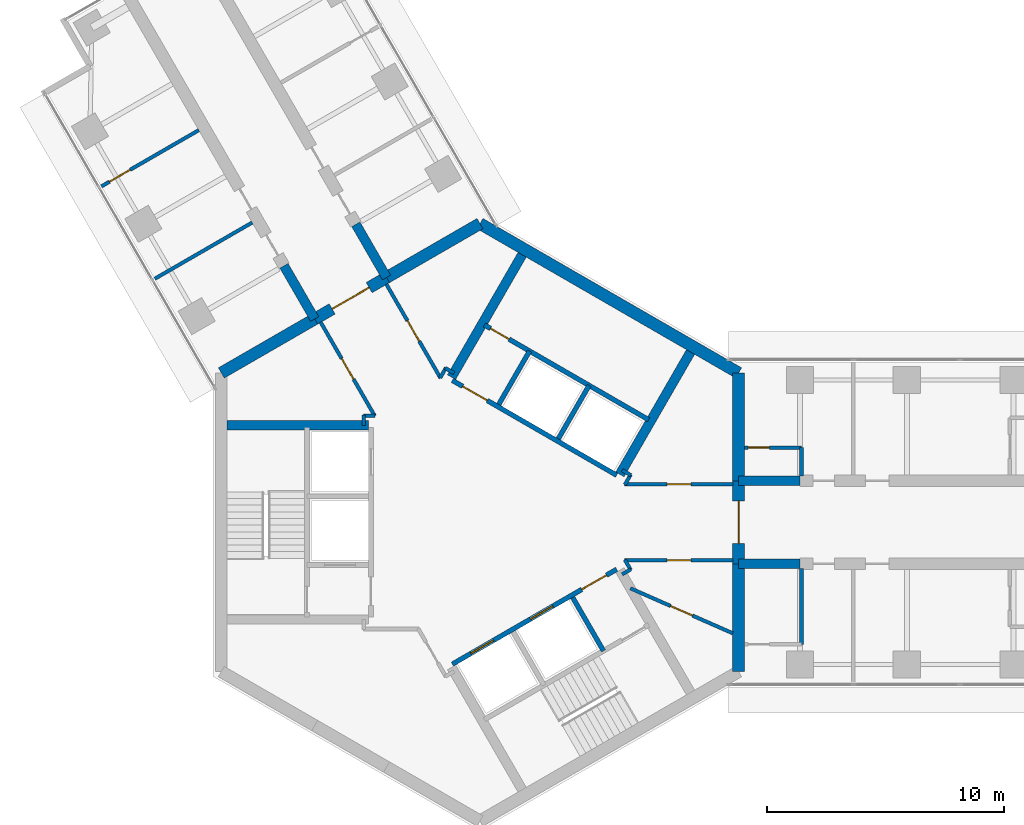
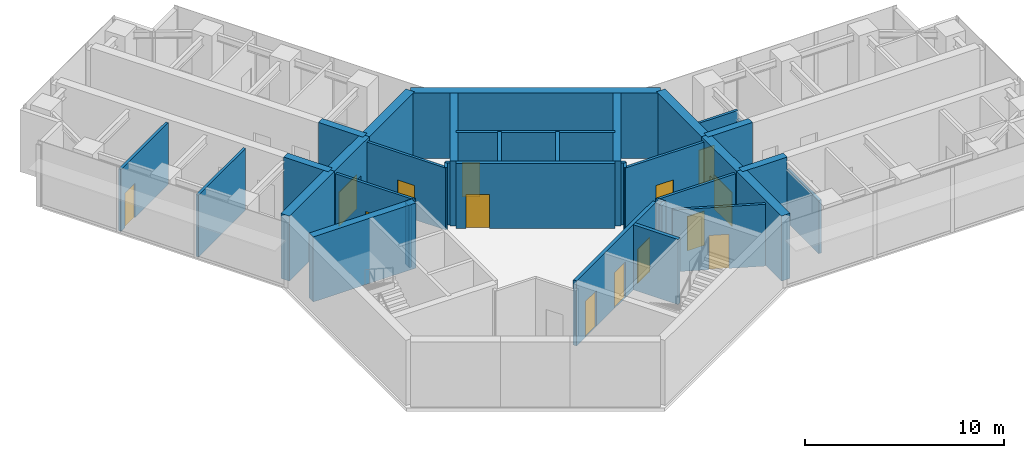
# One storey, part 12 of 17: 38 walls, 14 doors, 14 openings.
"""IFC4 building model written with IfcOpenShell, lengths in metres."""

from ifc_helpers import new_model, si_unit, direction, frame, frame_2d, origin, place, context, subcontext, project, spatial, rectangle, extrude, material, layer, layer_set, type_object, element, fill, save


model = new_model("IFC4")

# Units and contexts
model_context = context("Model", 3, precision=1e-05, world=origin(), true_north=direction((0.0, 1.0)))
body_context = subcontext(model_context, "Body", "Model", "MODEL_VIEW")
ifc_project = project(units=[si_unit("LENGTHUNIT", "METRE"), si_unit("AREAUNIT", "SQUARE_METRE"), si_unit("VOLUMEUNIT", "CUBIC_METRE"), si_unit("PLANEANGLEUNIT", "RADIAN"), si_unit("MASSUNIT", "GRAM", prefix="KILO")], contexts=[model_context])

# Site, building, storey
site_placement = place(None, origin())
site = spatial("IfcSite", under=ifc_project, at=site_placement, CompositionType="ELEMENT")
building_placement = place(site_placement, origin())
building = spatial("IfcBuilding", under=site, at=building_placement, Name="Upepo Twin Towers", CompositionType="ELEMENT")
storey_placement = place(building_placement, frame((0.0, 0.0, 202.5)))
storey = spatial("IfcBuildingStorey", under=building, at=storey_placement, Name="L49", CompositionType="ELEMENT", Elevation=202.5)

# Walls
ifc_material_1 = material(Name="Concrete C60/75", Category="concrete")
ifc_layer_1 = layer(ifc_material_1, 0.39990234375)
ifc_layer_set_1 = layer_set([ifc_layer_1], Name="Concrete C60/75")
wall_type_1 = type_object("IfcWallType", Name="Buttress wall 400 RC", PredefinedType="SHEAR", material=ifc_layer_set_1)
for number, where, z_axis, x_axis, name in (
    (1, (10.908447265625, 1.75, 0.0), (0.0, 0.0, 1.0), (1.0, 0.0, 0.0), "T1 wing A buttress wall L"),
    (2, (10.908447265625, -1.75, 0.0), (0.0, 0.0, 1.0), (1.0, 0.0, 0.0), "T1 wing A buttress wall R"),
):
    element("IfcWall", number, at=place(storey_placement, frame(where, z_axis=z_axis, x_axis=x_axis)), inside=storey, type_object=wall_type_1, Name=name, PredefinedType="SHEAR", context=body_context, shape_type="SweptSolid", body=[
        extrude(rectangle(XDim=2.591552734375, YDim=0.39990234375, at=frame_2d((1.2958984375, 0.0))), origin(), (0.0, 0.0, 1.0), 4.0),
    ])
for number, where, z_axis, x_axis, name in (
    (3, (-6.9697265625, 8.57177734375, 0.0), (0.0, 0.0, 1.0), (-0.499988811324, 0.866031863473, 0.0), "T1 wing B buttress wall L"),
    (4, (-3.938720703125, 10.32177734375, 0.0), (0.0, 0.0, 1.0), (-0.499918158782, 0.866072649678, 0.0), "T1 wing B buttress wall R"),
):
    element("IfcWall", number, at=place(storey_placement, frame(where, z_axis=z_axis, x_axis=x_axis)), inside=storey, type_object=wall_type_1, Name=name, PredefinedType="SHEAR", context=body_context, shape_type="SweptSolid", body=[
        extrude(rectangle(XDim=2.591796875, YDim=0.39990234375, at=frame_2d((1.2958984375, 0.0))), origin(), (0.0, 0.0, 1.0), 4.0),
    ])
ifc_material_2 = material(Name="Concrete C60/75", Category="concrete")
ifc_layer_2 = layer(ifc_material_2, 0.5)
ifc_layer_set_2 = layer_set([ifc_layer_2], Name="Concrete C60/75")
wall_type_2 = type_object("IfcWallType", Name="Core wall 500 RC", PredefinedType="SHEAR", material=ifc_layer_set_2)
wall_1_placement = place(storey_placement, frame((10.908447265625, -6.2978515625, 0.0), z_axis=(0.0, 0.0, 1.0), x_axis=(0.0, 1.0, 0.0)))
element("IfcWall", 5, at=wall_1_placement, inside=storey, type_object=wall_type_2, Name="T1 core wall 000 R", PredefinedType="SHEAR", context=body_context, shape_type="SweptSolid", body=[
    extrude(rectangle(XDim=4.5478515625, YDim=0.5, at=frame_2d((2.27392578125, 0.0))), origin(), (0.0, 0.0, 1.0), 4.0),
])

# Wall, opening, door
wall_2_placement = place(storey_placement, frame((10.908447265625, -1.75, 0.0), z_axis=(0.0, 0.0, 1.0), x_axis=(0.0, 1.0, 0.0)))
wall_2 = element("IfcWall", 6, at=wall_2_placement, inside=storey, type_object=wall_type_2, Name="T1 core wall 000", PredefinedType="SHEAR", context=body_context, shape_type="SweptSolid", body=[
    extrude(rectangle(XDim=3.5, YDim=0.5, at=frame_2d((1.75, 0.0))), origin(), (0.0, 0.0, 1.0), 4.0),
])
opening_1_placement = place(wall_2_placement, frame((0.85009765625, 0.0, 0.0)))
opening_1 = element("IfcOpeningElement", 7, at=opening_1_placement, cuts=wall_2, Name="Opening D2", PredefinedType="OPENING", context=body_context, shape_type="SweptSolid", body=[
    extrude(rectangle(XDim=1.800048828125, YDim=2.10009765625, at=frame_2d((0.89990234375, 1.050048828125))), frame((0.0, 0.260009765625, 0.0), z_axis=(0.0, -1.0, 0.0), x_axis=(1.0, 0.0, 0.0)), (0.0, 0.0, 1.0), 0.52001953125),
])
ifc_material_3 = material(Name="Timber doorset", Category="wood")
door_type_1 = type_object("IfcDoorType", Name="Corridor double door 1800 FD60", OperationType="DOUBLE_DOOR_DOUBLE_SWING", PredefinedType="DOOR", material=ifc_material_3)
door_1_placement = place(opening_1_placement, origin())
door_1 = element("IfcDoor", 8, at=door_1_placement, inside=storey, type_object=door_type_1, Name="T1 L49 wing A corridor door", OperationType="DOUBLE_DOOR_DOUBLE_SWING", OverallHeight=2.10009765625, OverallWidth=1.800048828125, PredefinedType="DOOR", context=body_context, shape_type="SweptSolid", body=[
    extrude(rectangle(XDim=1.800048828125, YDim=2.10009765625, at=frame_2d((0.89990234375, 1.050048828125))), frame((0.0, 0.02490234375, 0.0), z_axis=(0.0, -1.0, 0.0), x_axis=(1.0, 0.0, 0.0)), (0.0, 0.0, 1.0), 0.050048828125),
])
fill(opening_1, door_1)

# Walls
wall_3_placement = place(storey_placement, frame((10.908447265625, 1.75, 0.0), z_axis=(0.0, 0.0, 1.0), x_axis=(0.0, 1.0, 0.0)))
element("IfcWall", 9, at=wall_3_placement, inside=storey, type_object=wall_type_2, Name="T1 core wall 000 L", PredefinedType="SHEAR", context=body_context, shape_type="SweptSolid", body=[
    extrude(rectangle(XDim=4.5478515625, YDim=0.5, at=frame_2d((2.27392578125, 0.0))), origin(), (0.0, 0.0, 1.0), 4.0),
])
wall_4_placement = place(storey_placement, frame((10.908447265625, 6.2978515625, 0.0), z_axis=(0.0, 0.0, 1.0), x_axis=(-0.866021940709, 0.500005998175, 0.0)))
element("IfcWall", 10, at=wall_4_placement, inside=storey, type_object=wall_type_2, Name="T1 core wall 060", PredefinedType="SHEAR", context=body_context, shape_type="SweptSolid", body=[
    extrude(rectangle(XDim=12.595947265625, YDim=0.5, at=frame_2d((6.2978515625, 0.0))), origin(), (0.0, 0.0, 1.0), 4.0),
])
wall_5_placement = place(storey_placement, frame((0.0, 12.595947265625, 0.0), z_axis=(0.0, 0.0, 1.0), x_axis=(-0.866011268655, -0.500024481964, 0.0)))
element("IfcWall", 11, at=wall_5_placement, inside=storey, type_object=wall_type_2, Name="T1 core wall 120 R", PredefinedType="SHEAR", context=body_context, shape_type="SweptSolid", body=[
    extrude(rectangle(XDim=4.548095703125, YDim=0.5, at=frame_2d((2.27392578125, 0.0))), origin(), (0.0, 0.0, 1.0), 4.0),
])

# Wall, opening, door
wall_6_placement = place(storey_placement, frame((-3.938720703125, 10.32177734375, 0.0), z_axis=(0.0, 0.0, 1.0), x_axis=(-0.866019471182, -0.500010275428, 0.0)))
wall_6 = element("IfcWall", 12, at=wall_6_placement, inside=storey, type_object=wall_type_2, Name="T1 core wall 120", PredefinedType="SHEAR", context=body_context, shape_type="SweptSolid", body=[
    extrude(rectangle(XDim=3.5, YDim=0.5, at=frame_2d((1.75, 0.0))), origin(), (0.0, 0.0, 1.0), 4.0),
])
opening_2_placement = place(wall_6_placement, frame((0.85009765625, 0.0, 0.0)))
opening_2 = element("IfcOpeningElement", 13, at=opening_2_placement, cuts=wall_6, Name="Opening D2", PredefinedType="OPENING", context=body_context, shape_type="SweptSolid", body=[
    extrude(rectangle(XDim=1.800048828125, YDim=2.10009765625, at=frame_2d((0.89990234375, 1.050048828125))), frame((0.0, 0.260009765625, 0.0), z_axis=(0.0, -1.0, 0.0), x_axis=(1.0, 0.0, 0.0)), (0.0, 0.0, 1.0), 0.52001953125),
])
door_2_placement = place(opening_2_placement, origin())
door_2 = element("IfcDoor", 14, at=door_2_placement, inside=storey, type_object=door_type_1, Name="T1 L49 wing B corridor door", OperationType="DOUBLE_DOOR_DOUBLE_SWING", OverallHeight=2.10009765625, OverallWidth=1.800048828125, PredefinedType="DOOR", context=body_context, shape_type="SweptSolid", body=[
    extrude(rectangle(XDim=1.800048828125, YDim=2.10009765625, at=frame_2d((0.89990234375, 1.050048828125))), frame((0.0, 0.02490234375, 0.0), z_axis=(0.0, -1.0, 0.0), x_axis=(1.0, 0.0, 0.0)), (0.0, 0.0, 1.0), 0.050048828125),
])
fill(opening_2, door_2)

# Wall
wall_7_placement = place(storey_placement, frame((-6.9697265625, 8.57177734375, 0.0), z_axis=(0.0, 0.0, 1.0), x_axis=(-0.866034513004, -0.499984222037, 0.0)))
element("IfcWall", 15, at=wall_7_placement, inside=storey, type_object=wall_type_2, Name="T1 core wall 120 L", PredefinedType="SHEAR", context=body_context, shape_type="SweptSolid", body=[
    extrude(rectangle(XDim=4.548095703125, YDim=0.5, at=frame_2d((2.27392578125, 0.0))), origin(), (0.0, 0.0, 1.0), 4.0),
])

# Wall, opening, door
ifc_material_4 = material(Name="Concrete C40/50", Category="concrete")
ifc_layer_3 = layer(ifc_material_4, 0.199951171875)
ifc_layer_set_3 = layer_set([ifc_layer_3], Name="Concrete C40/50")
wall_type_3 = type_object("IfcWallType", Name="Shaft wall 200 RC", PredefinedType="SHEAR", material=ifc_layer_set_3)
wall_8_placement = place(storey_placement, frame((5.76416015625, 1.983642578125, 0.0), z_axis=(0.0, 0.0, 1.0), x_axis=(-0.866026010844, 0.49999894854, 0.0)))
wall_8 = element("IfcWall", 16, at=wall_8_placement, inside=storey, type_object=wall_type_3, Name="T1 core W60 front wall", PredefinedType="SHEAR", context=body_context, shape_type="SweptSolid", body=[
    extrude(rectangle(XDim=8.0, YDim=0.199951171875, at=frame_2d((4.0, 0.0))), origin(), (0.0, 0.0, 1.0), 4.0),
])
opening_3_placement = place(wall_8_placement, frame((6.300048828125, 0.0, 0.0)))
opening_3 = element("IfcOpeningElement", 17, at=opening_3_placement, cuts=wall_8, Name="Opening D4", PredefinedType="OPENING", context=body_context, shape_type="SweptSolid", body=[
    extrude(rectangle(XDim=1.199951171875, YDim=2.10009765625, at=frame_2d((0.60009765625, 1.050048828125))), frame((0.0, 0.10986328125, 0.0), z_axis=(0.0, -1.0, 0.0), x_axis=(1.0, 0.0, 0.0)), (0.0, 0.0, 1.0), 0.219970703125),
])
ifc_material_5 = material(Name="Timber doorset", Category="wood")
door_type_2 = type_object("IfcDoorType", Name="Lobby door 1200 FD60", OperationType="SINGLE_SWING_LEFT", PredefinedType="DOOR", material=ifc_material_5)
door_3_placement = place(opening_3_placement, origin())
door_3 = element("IfcDoor", 18, at=door_3_placement, inside=storey, type_object=door_type_2, Name="T1 L49 W60 lobby door", OperationType="SINGLE_SWING_RIGHT", OverallHeight=2.10009765625, OverallWidth=1.199951171875, PredefinedType="DOOR", context=body_context, shape_type="SweptSolid", body=[
    extrude(rectangle(XDim=1.199951171875, YDim=2.10009765625, at=frame_2d((0.60009765625, 1.050048828125))), frame((0.0, 0.02490234375, 0.0), z_axis=(0.0, -1.0, 0.0), x_axis=(1.0, 0.0, 0.0)), (0.0, 0.0, 1.0), 0.050048828125),
])
fill(opening_3, door_3)

# Walls
for number, where, z_axis, x_axis, name in (
    (19, (3.302734375, 3.520263671875, 0.0), (0.0, 0.0, 1.0), (0.499936506574, 0.866062058628, 0.0), "T1 core W60 shaft divider"),
    (20, (0.791259765625, 4.97021484375, 0.0), (0.0, 0.0, 1.0), (0.499936506574, 0.866062058628, 0.0), "T1 core W60 lobby wall"),
):
    element("IfcWall", number, at=place(storey_placement, frame(where, z_axis=z_axis, x_axis=x_axis)), inside=storey, type_object=wall_type_3, Name=name, PredefinedType="SHEAR", context=body_context, shape_type="SweptSolid", body=[
        extrude(rectangle(XDim=2.599853515625, YDim=0.199951171875, at=frame_2d((1.2998046875, 0.0))), origin(), (0.0, 0.0, 1.0), 4.0),
    ])

# Wall, opening, door
wall_9_placement = place(storey_placement, frame((7.114013671875, 4.322021484375, 0.0), z_axis=(0.0, 0.0, 1.0), x_axis=(-0.866026010844, 0.49999894854, 0.0)))
wall_9 = element("IfcWall", 21, at=wall_9_placement, inside=storey, type_object=wall_type_3, Name="T1 core W60 stair wall", PredefinedType="SHEAR", context=body_context, shape_type="SweptSolid", body=[
    extrude(rectangle(XDim=8.0, YDim=0.199951171875, at=frame_2d((4.0, 0.0))), origin(), (0.0, 0.0, 1.0), 4.0),
])
opening_4_placement = place(wall_9_placement, frame((6.800048828125, 0.0, 0.0)))
opening_4 = element("IfcOpeningElement", 22, at=opening_4_placement, cuts=wall_9, Name="Opening D9", PredefinedType="OPENING", context=body_context, shape_type="SweptSolid", body=[
    extrude(rectangle(XDim=0.89990234375, YDim=2.10009765625, at=frame_2d((0.449951171875, 1.050048828125))), frame((0.0, 0.10986328125, 0.0), z_axis=(0.0, -1.0, 0.0), x_axis=(1.0, 0.0, 0.0)), (0.0, 0.0, 1.0), 0.219970703125),
])
ifc_material_6 = material(Name="Timber doorset", Category="wood")
door_type_3 = type_object("IfcDoorType", Name="Riser door 900 FD60", OperationType="SINGLE_SWING_LEFT", PredefinedType="DOOR", material=ifc_material_6)
door_4_placement = place(opening_4_placement, origin())
door_4 = element("IfcDoor", 23, at=door_4_placement, inside=storey, type_object=door_type_3, Name="T1 L49 riser door", OperationType="SINGLE_SWING_RIGHT", OverallHeight=2.10009765625, OverallWidth=0.89990234375, PredefinedType="DOOR", context=body_context, shape_type="SweptSolid", body=[
    extrude(rectangle(XDim=0.89990234375, YDim=2.10009765625, at=frame_2d((0.449951171875, 1.050048828125))), frame((0.0, 0.02490234375, 0.0), z_axis=(0.0, -1.0, 0.0), x_axis=(1.0, 0.0, 0.0)), (0.0, 0.0, 1.0), 0.050048828125),
])
fill(opening_4, door_4)

# Wall, openings, doors
wall_10_placement = place(storey_placement, frame((-1.1640625, -5.983642578125, 0.0), z_axis=(0.0, 0.0, 1.0), x_axis=(0.866026010844, 0.49999894854, 0.0)))
wall_10 = element("IfcWall", 24, at=wall_10_placement, inside=storey, type_object=wall_type_3, Name="T1 core W300 front wall", PredefinedType="SHEAR", context=body_context, shape_type="SweptSolid", body=[
    extrude(rectangle(XDim=8.0, YDim=0.199951171875, at=frame_2d((4.0, 0.0))), origin(), (0.0, 0.0, 1.0), 4.0),
])
opening_5_placement = place(wall_10_placement, frame((6.300048828125, 0.0, 0.0)))
opening_5 = element("IfcOpeningElement", 25, at=opening_5_placement, cuts=wall_10, Name="Opening D4", PredefinedType="OPENING", context=body_context, shape_type="SweptSolid", body=[
    extrude(rectangle(XDim=1.199951171875, YDim=2.10009765625, at=frame_2d((0.60009765625, 1.050048828125))), frame((0.0, 0.10986328125, 0.0), z_axis=(0.0, -1.0, 0.0), x_axis=(1.0, 0.0, 0.0)), (0.0, 0.0, 1.0), 0.219970703125),
])
opening_6_placement = place(wall_10_placement, frame((0.89990234375, 0.0, 0.0)))
opening_6 = element("IfcOpeningElement", 26, at=opening_6_placement, cuts=wall_10, Name="Opening LD1", PredefinedType="OPENING", context=body_context, shape_type="SweptSolid", body=[
    extrude(rectangle(XDim=1.10009765625, YDim=2.199951171875, at=frame_2d((0.550048828125, 1.10009765625))), frame((0.0, 0.10986328125, 0.0), z_axis=(0.0, -1.0, 0.0), x_axis=(1.0, 0.0, 0.0)), (0.0, 0.0, 1.0), 0.219970703125),
])
opening_7_placement = place(wall_10_placement, frame((3.800048828125, 0.0, 0.0)))
opening_7 = element("IfcOpeningElement", 27, at=opening_7_placement, cuts=wall_10, Name="Opening LD1", PredefinedType="OPENING", context=body_context, shape_type="SweptSolid", body=[
    extrude(rectangle(XDim=1.10009765625, YDim=2.199951171875, at=frame_2d((0.550048828125, 1.10009765625))), frame((0.0, 0.10986328125, 0.0), z_axis=(0.0, -1.0, 0.0), x_axis=(1.0, 0.0, 0.0)), (0.0, 0.0, 1.0), 0.219970703125),
])
ifc_material_7 = material(Name="Steel doorset", Category="steel")
door_type_4 = type_object("IfcDoorType", Name="Lift landing door 1100", OperationType="DOUBLE_DOOR_SLIDING", PredefinedType="DOOR", material=ifc_material_7)
door_5_placement = place(opening_6_placement, origin())
door_5 = element("IfcDoor", 28, at=door_5_placement, inside=storey, type_object=door_type_4, Name="T1 L49 lift UL1 landing door", OperationType="DOUBLE_DOOR_SLIDING", OverallHeight=2.199951171875, OverallWidth=1.10009765625, PredefinedType="DOOR", context=body_context, shape_type="SweptSolid", body=[
    extrude(rectangle(XDim=1.10009765625, YDim=2.199951171875, at=frame_2d((0.550048828125, 1.10009765625))), frame((0.0, 0.02490234375, 0.0), z_axis=(0.0, -1.0, 0.0), x_axis=(1.0, 0.0, 0.0)), (0.0, 0.0, 1.0), 0.050048828125),
])
fill(opening_6, door_5)
door_6_placement = place(opening_7_placement, origin())
door_6 = element("IfcDoor", 29, at=door_6_placement, inside=storey, type_object=door_type_4, Name="T1 L49 lift UL2 landing door", OperationType="DOUBLE_DOOR_SLIDING", OverallHeight=2.199951171875, OverallWidth=1.10009765625, PredefinedType="DOOR", context=body_context, shape_type="SweptSolid", body=[
    extrude(rectangle(XDim=1.10009765625, YDim=2.199951171875, at=frame_2d((0.550048828125, 1.10009765625))), frame((0.0, 0.02490234375, 0.0), z_axis=(0.0, -1.0, 0.0), x_axis=(1.0, 0.0, 0.0)), (0.0, 0.0, 1.0), 0.050048828125),
])
fill(opening_7, door_6)
door_7_placement = place(opening_5_placement, origin())
door_7 = element("IfcDoor", 30, at=door_7_placement, inside=storey, type_object=door_type_2, Name="T1 L49 W300 lobby door", OperationType="SINGLE_SWING_RIGHT", OverallHeight=2.10009765625, OverallWidth=1.199951171875, PredefinedType="DOOR", context=body_context, shape_type="SweptSolid", body=[
    extrude(rectangle(XDim=1.199951171875, YDim=2.10009765625, at=frame_2d((0.60009765625, 1.050048828125))), frame((0.0, 0.02490234375, 0.0), z_axis=(0.0, -1.0, 0.0), x_axis=(1.0, 0.0, 0.0)), (0.0, 0.0, 1.0), 0.050048828125),
])
fill(opening_5, door_7)

# Walls
wall_11_placement = place(storey_placement, frame((3.908935546875, -3.17041015625, 0.0), z_axis=(0.0, 0.0, 1.0), x_axis=(0.49997716683, -0.86603858612, 0.0)))
element("IfcWall", 31, at=wall_11_placement, inside=storey, type_object=wall_type_3, Name="T1 core W300 lobby wall", PredefinedType="SHEAR", context=body_context, shape_type="SweptSolid", body=[
    extrude(rectangle(XDim=2.599609375, YDim=0.199951171875, at=frame_2d((1.2998046875, 0.0))), origin(), (0.0, 0.0, 1.0), 4.0),
])
ifc_material_8 = material(Name="Concrete C40/50", Category="concrete")
ifc_layer_4 = layer(ifc_material_8, 0.39990234375)
ifc_layer_set_4 = layer_set([ifc_layer_4], Name="Concrete C40/50")
wall_type_4 = type_object("IfcWallType", Name="Shaft wall 400 RC", PredefinedType="SHEAR", material=ifc_layer_set_4)
wall_12_placement = place(storey_placement, frame((-1.20068359375, 6.120361328125, 0.0), z_axis=(0.0, 0.0, 1.0), x_axis=(0.500021575205, 0.866012946976, 0.0)))
element("IfcWall", 32, at=wall_12_placement, inside=storey, type_object=wall_type_4, Name="T1 core W60 side wall N", PredefinedType="SHEAR", context=body_context, shape_type="SweptSolid", body=[
    extrude(rectangle(XDim=5.958251953125, YDim=0.39990234375, at=frame_2d((2.97900390625, 0.0))), origin(), (0.0, 0.0, 1.0), 4.0),
])
for number, where, z_axis, x_axis, name in (
    (33, (5.900634765625, 2.020263671875, 0.0), (0.0, 0.0, 1.0), (0.500003832394, 0.86602319114, 0.0), "T1 core W60 side wall S"),
    (34, (-4.699951171875, 4.10009765625, 0.0), (0.0, 0.0, 1.0), (-1.0, 0.0, 0.0), "T1 core W180 side wall S"),
):
    element("IfcWall", number, at=place(storey_placement, frame(where, z_axis=z_axis, x_axis=x_axis)), inside=storey, type_object=wall_type_4, Name=name, PredefinedType="SHEAR", context=body_context, shape_type="SweptSolid", body=[
        extrude(rectangle(XDim=5.95849609375, YDim=0.39990234375, at=frame_2d((2.979248046875, 0.0))), origin(), (0.0, 0.0, 1.0), 4.0),
    ])

# Wall, opening, door
ifc_material_9 = material(Name="Gypsum board on steel studs", Category="steel")
ifc_layer_5 = layer(ifc_material_9, 0.14990234375)
ifc_layer_set_5 = layer_set([ifc_layer_5], Name="Teaching partition 150 acoustic")
wall_type_5 = type_object("IfcWallType", Name="Teaching partition 150 acoustic", PredefinedType="PARTITIONING", material=ifc_layer_set_5)
wall_13_placement = place(storey_placement, frame((11.157958984375, 3.14990234375, 0.0), z_axis=(0.0, 0.0, 1.0), x_axis=(1.0, 0.0, 0.0)))
wall_13 = element("IfcWall", 35, at=wall_13_placement, inside=storey, type_object=wall_type_5, Name="T1 WC bay partition AL at 11.16", PredefinedType="PARTITIONING", context=body_context, shape_type="SweptSolid", body=[
    extrude(rectangle(XDim=2.400146484375, YDim=0.14990234375, at=frame_2d((1.2001953125, 0.0))), origin(), (0.0, 0.0, 1.0), 3.800048828125),
])
opening_8_placement = place(wall_13_placement, frame((0.14990234375, 0.0, 0.0)))
opening_8 = element("IfcOpeningElement", 36, at=opening_8_placement, cuts=wall_13, Name="Opening D14", PredefinedType="OPENING", context=body_context, shape_type="SweptSolid", body=[
    extrude(rectangle(XDim=0.89990234375, YDim=2.10009765625, at=frame_2d((0.449951171875, 1.050048828125))), frame((0.0, 0.0849609375, 0.0), z_axis=(0.0, -1.0, 0.0), x_axis=(1.0, 0.0, 0.0)), (0.0, 0.0, 1.0), 0.169921875),
])
ifc_material_10 = material(Name="Timber doorset", Category="wood")
door_type_5 = type_object("IfcDoorType", Name="Office door 900 FD30", OperationType="SINGLE_SWING_LEFT", PredefinedType="DOOR", material=ifc_material_10)
door_8_placement = place(opening_8_placement, origin())
door_8 = element("IfcDoor", 37, at=door_8_placement, inside=storey, type_object=door_type_5, Name="T1 L49 WC bay inner room door", OperationType="SINGLE_SWING_LEFT", OverallHeight=2.10009765625, OverallWidth=0.89990234375, PredefinedType="DOOR", context=body_context, shape_type="SweptSolid", body=[
    extrude(rectangle(XDim=0.89990234375, YDim=2.10009765625, at=frame_2d((0.449951171875, 1.050048828125))), frame((0.0, 0.02490234375, 0.0), z_axis=(0.0, -1.0, 0.0), x_axis=(1.0, 0.0, 0.0)), (0.0, 0.0, 1.0), 0.050048828125),
])
fill(opening_8, door_8)

# Walls
wall_14_placement = place(storey_placement, frame((13.55810546875, 1.949951171875, 0.0), z_axis=(0.0, 0.0, 1.0), x_axis=(0.0, 1.0, 0.0)))
element("IfcWall", 38, at=wall_14_placement, inside=storey, type_object=wall_type_5, Name="T1 WC bay partition AL end at 13.56", PredefinedType="PARTITIONING", context=body_context, shape_type="SweptSolid", body=[
    extrude(rectangle(XDim=1.199951171875, YDim=0.14990234375, at=frame_2d((0.60009765625, 0.0))), origin(), (0.0, 0.0, 1.0), 3.266845703125),
])
wall_15_placement = place(storey_placement, frame((13.55810546875, -1.949951171875, 0.0), z_axis=(0.0, 0.0, 1.0), x_axis=(0.0, -1.0, 0.0)))
element("IfcWall", 39, at=wall_15_placement, inside=storey, type_object=wall_type_5, Name="T1 WC bay partition AR end at 13.56", PredefinedType="PARTITIONING", context=body_context, shape_type="SweptSolid", body=[
    extrude(rectangle(XDim=3.199951171875, YDim=0.14990234375, at=frame_2d((1.60009765625, 0.0))), origin(), (0.0, 0.0, 1.0), 3.266845703125),
])
wall_16_placement = place(storey_placement, frame((-9.60693359375, 12.639892578125, 0.0), z_axis=(0.0, 0.0, 1.0), x_axis=(-0.866033238375, -0.499986429846, 0.0)))
element("IfcWall", 40, at=wall_16_placement, inside=storey, type_object=wall_type_5, Name="T1 partition BL at 15.75", PredefinedType="PARTITIONING", context=body_context, shape_type="SweptSolid", body=[
    extrude(rectangle(XDim=4.750244140625, YDim=0.14990234375, at=frame_2d((2.375, 0.0))), origin(), (0.0, 0.0, 1.0), 3.800048828125),
])

# Wall, opening, door
wall_17_placement = place(storey_placement, frame((-11.85693359375, 16.537109375, 0.0), z_axis=(0.0, 0.0, 1.0), x_axis=(-0.866033238375, -0.499986429846, 0.0)))
wall_17 = element("IfcWall", 41, at=wall_17_placement, inside=storey, type_object=wall_type_5, Name="T1 partition BL at 20.25", PredefinedType="PARTITIONING", context=body_context, shape_type="SweptSolid", body=[
    extrude(rectangle(XDim=4.750244140625, YDim=0.14990234375, at=frame_2d((2.375, 0.0))), origin(), (0.0, 0.0, 1.0), 3.800048828125),
])
opening_9_placement = place(wall_17_placement, frame((3.35009765625, 0.0, 0.0)))
opening_9 = element("IfcOpeningElement", 42, at=opening_9_placement, cuts=wall_17, Name="Opening D1", PredefinedType="OPENING", context=body_context, shape_type="SweptSolid", body=[
    extrude(rectangle(XDim=1.0, YDim=2.10009765625, at=frame_2d((0.5, 1.050048828125))), frame((0.0, 0.0849609375, 0.0), z_axis=(0.0, -1.0, 0.0), x_axis=(1.0, 0.0, 0.0)), (0.0, 0.0, 1.0), 0.169921875),
])
ifc_material_11 = material(Name="Timber doorset", Category="wood")
door_type_6 = type_object("IfcDoorType", Name="Room door 1000 FD30", OperationType="SINGLE_SWING_LEFT", PredefinedType="DOOR", material=ifc_material_11)
door_9_placement = place(opening_9_placement, origin())
door_9 = element("IfcDoor", 43, at=door_9_placement, inside=storey, type_object=door_type_6, Name="T1 L49 connecting door", OperationType="SINGLE_SWING_RIGHT", OverallHeight=2.10009765625, OverallWidth=1.0, PredefinedType="DOOR", context=body_context, shape_type="SweptSolid", body=[
    extrude(rectangle(XDim=1.0, YDim=2.10009765625, at=frame_2d((0.5, 1.050048828125))), frame((0.0, 0.02490234375, 0.0), z_axis=(0.0, -1.0, 0.0), x_axis=(1.0, 0.0, 0.0)), (0.0, 0.0, 1.0), 0.050048828125),
])
fill(opening_9, door_9)

# Walls
for number, where, z_axis, x_axis, name in (
    (44, (6.364501953125, -1.9833984375, 0.0), (0.0, 0.0, 1.0), (-0.865892400268, -0.500230298122, 0.0), "T1 core room partition 1"),
    (45, (-4.89990234375, 4.090087890625, 0.0), (0.0, 0.0, 1.0), (0.0, 1.0, 0.0), "T1 core room partition 6"),
):
    element("IfcWall", number, at=place(storey_placement, frame(where, z_axis=z_axis, x_axis=x_axis)), inside=storey, type_object=wall_type_5, Name=name, PredefinedType="PARTITIONING", context=body_context, shape_type="SweptSolid", body=[
        extrude(rectangle(XDim=0.429931640625, YDim=0.14990234375, at=frame_2d((0.21484375, 0.0))), origin(), (0.0, 0.0, 1.0), 3.800048828125),
    ])
wall_18_placement = place(storey_placement, frame((-4.919921875, 4.5, 0.0), z_axis=(0.0, 0.0, 1.0), x_axis=(1.0, 0.0, 0.0)))
element("IfcWall", 46, at=wall_18_placement, inside=storey, type_object=wall_type_5, Name="T1 core room partition 7", PredefinedType="PARTITIONING", context=body_context, shape_type="SweptSolid", body=[
    extrude(rectangle(XDim=0.494384765625, YDim=0.14990234375, at=frame_2d((0.2470703125, 0.0))), origin(), (0.0, 0.0, 1.0), 3.800048828125),
])

# Wall, opening, door
wall_19_placement = place(storey_placement, frame((-4.435546875, 4.482666015625, 0.0), z_axis=(0.0, 0.0, 1.0), x_axis=(-0.500001558674, 0.866024503882, 0.0)))
wall_19 = element("IfcWall", 47, at=wall_19_placement, inside=storey, type_object=wall_type_5, Name="T1 core room partition 8", PredefinedType="PARTITIONING", context=body_context, shape_type="SweptSolid", body=[
    extrude(rectangle(XDim=4.568359375, YDim=0.14990234375, at=frame_2d((2.2841796875, 0.0))), origin(), (0.0, 0.0, 1.0), 3.800048828125),
])
opening_10_placement = place(wall_19_placement, frame((1.794189453125, 0.0, 0.0)))
opening_10 = element("IfcOpeningElement", 48, at=opening_10_placement, cuts=wall_19, Name="Opening D1", PredefinedType="OPENING", context=body_context, shape_type="SweptSolid", body=[
    extrude(rectangle(XDim=1.0, YDim=2.10009765625, at=frame_2d((0.5, 1.050048828125))), frame((0.0, 0.0849609375, 0.0), z_axis=(0.0, -1.0, 0.0), x_axis=(1.0, 0.0, 0.0)), (0.0, 0.0, 1.0), 0.169921875),
])
door_10_placement = place(opening_10_placement, origin())
door_10 = element("IfcDoor", 49, at=door_10_placement, inside=storey, type_object=door_type_6, Name="T1 L49 core room door K6", OperationType="SINGLE_SWING_RIGHT", OverallHeight=2.10009765625, OverallWidth=1.0, PredefinedType="DOOR", context=body_context, shape_type="SweptSolid", body=[
    extrude(rectangle(XDim=1.0, YDim=2.10009765625, at=frame_2d((0.5, 1.050048828125))), frame((0.0, 0.02490234375, 0.0), z_axis=(0.0, -1.0, 0.0), x_axis=(1.0, 0.0, 0.0)), (0.0, 0.0, 1.0), 0.050048828125),
])
fill(opening_10, door_10)

wall_20_placement = place(storey_placement, frame((-3.948486328125, 10.0390625, 0.0), z_axis=(0.0, 0.0, 1.0), x_axis=(0.500001558674, -0.866024503882, 0.0)))
wall_20 = element("IfcWall", 50, at=wall_20_placement, inside=storey, type_object=wall_type_5, Name="T1 core room partition 9", PredefinedType="PARTITIONING", context=body_context, shape_type="SweptSolid", body=[
    extrude(rectangle(XDim=4.568359375, YDim=0.14990234375, at=frame_2d((2.2841796875, 0.0))), origin(), (0.0, 0.0, 1.0), 3.800048828125),
])
opening_11_placement = place(wall_20_placement, frame((1.774169921875, 0.0, 0.0)))
opening_11 = element("IfcOpeningElement", 51, at=opening_11_placement, cuts=wall_20, Name="Opening D1", PredefinedType="OPENING", context=body_context, shape_type="SweptSolid", body=[
    extrude(rectangle(XDim=1.0, YDim=2.10009765625, at=frame_2d((0.5, 1.050048828125))), frame((0.0, 0.0849609375, 0.0), z_axis=(0.0, -1.0, 0.0), x_axis=(1.0, 0.0, 0.0)), (0.0, 0.0, 1.0), 0.169921875),
])
door_11_placement = place(opening_11_placement, origin())
door_11 = element("IfcDoor", 52, at=door_11_placement, inside=storey, type_object=door_type_6, Name="T1 L49 core room door K5", OperationType="SINGLE_SWING_LEFT", OverallHeight=2.10009765625, OverallWidth=1.0, PredefinedType="DOOR", context=body_context, shape_type="SweptSolid", body=[
    extrude(rectangle(XDim=1.0, YDim=2.10009765625, at=frame_2d((0.5, 1.050048828125))), frame((0.0, 0.02490234375, 0.0), z_axis=(0.0, -1.0, 0.0), x_axis=(1.0, 0.0, 0.0)), (0.0, 0.0, 1.0), 0.050048828125),
])
fill(opening_11, door_11)

# Walls
wall_21_placement = place(storey_placement, frame((-1.684326171875, 6.082763671875, 0.0), z_axis=(0.0, 0.0, 1.0), x_axis=(0.50033519877, 0.865831790172, 0.0)))
element("IfcWall", 53, at=wall_21_placement, inside=storey, type_object=wall_type_5, Name="T1 core room partition 10", PredefinedType="PARTITIONING", context=body_context, shape_type="SweptSolid", body=[
    extrude(rectangle(XDim=0.494384765625, YDim=0.14990234375, at=frame_2d((0.2470703125, 0.0))), origin(), (0.0, 0.0, 1.0), 3.800048828125),
])
for number, where, z_axis, x_axis, name in (
    (54, (-1.46435546875, 6.50341796875, 0.0), (0.0, 0.0, 1.0), (0.866138304741, -0.499804398801, 0.0), "T1 core room partition 11"),
    (55, (5.9921875, 2.198486328125, 0.0), (0.0, 0.0, 1.0), (0.865892400268, -0.500230298122, 0.0), "T1 core room partition 12"),
):
    element("IfcWall", number, at=place(storey_placement, frame(where, z_axis=z_axis, x_axis=x_axis)), inside=storey, type_object=wall_type_5, Name=name, PredefinedType="PARTITIONING", context=body_context, shape_type="SweptSolid", body=[
        extrude(rectangle(XDim=0.429931640625, YDim=0.14990234375, at=frame_2d((0.21484375, 0.0))), origin(), (0.0, 0.0, 1.0), 3.800048828125),
    ])
wall_22_placement = place(storey_placement, frame((6.357177734375, 2.0107421875, 0.0), z_axis=(0.0, 0.0, 1.0), x_axis=(-0.50033519877, -0.865831790172, 0.0)))
element("IfcWall", 56, at=wall_22_placement, inside=storey, type_object=wall_type_5, Name="T1 core room partition 13", PredefinedType="PARTITIONING", context=body_context, shape_type="SweptSolid", body=[
    extrude(rectangle(XDim=0.494384765625, YDim=0.14990234375, at=frame_2d((0.2470703125, 0.0))), origin(), (0.0, 0.0, 1.0), 3.800048828125),
])

# Wall, opening, door
wall_23_placement = place(storey_placement, frame((6.099853515625, 1.60009765625, 0.0), z_axis=(0.0, 0.0, 1.0), x_axis=(1.0, 0.0, 0.0)))
wall_23 = element("IfcWall", 57, at=wall_23_placement, inside=storey, type_object=wall_type_5, Name="T1 core room partition 14", PredefinedType="PARTITIONING", context=body_context, shape_type="SweptSolid", body=[
    extrude(rectangle(XDim=4.568359375, YDim=0.14990234375, at=frame_2d((2.2841796875, 0.0))), origin(), (0.0, 0.0, 1.0), 3.800048828125),
])
opening_12_placement = place(wall_23_placement, frame((1.79443359375, 0.0, 0.0)))
opening_12 = element("IfcOpeningElement", 58, at=opening_12_placement, cuts=wall_23, Name="Opening D1", PredefinedType="OPENING", context=body_context, shape_type="SweptSolid", body=[
    extrude(rectangle(XDim=1.0, YDim=2.10009765625, at=frame_2d((0.5, 1.050048828125))), frame((0.0, 0.0849609375, 0.0), z_axis=(0.0, -1.0, 0.0), x_axis=(1.0, 0.0, 0.0)), (0.0, 0.0, 1.0), 0.169921875),
])
door_12_placement = place(opening_12_placement, origin())
door_12 = element("IfcDoor", 59, at=door_12_placement, inside=storey, type_object=door_type_6, Name="T1 L49 core room door K4", OperationType="SINGLE_SWING_RIGHT", OverallHeight=2.10009765625, OverallWidth=1.0, PredefinedType="DOOR", context=body_context, shape_type="SweptSolid", body=[
    extrude(rectangle(XDim=1.0, YDim=2.10009765625, at=frame_2d((0.5, 1.050048828125))), frame((0.0, 0.02490234375, 0.0), z_axis=(0.0, -1.0, 0.0), x_axis=(1.0, 0.0, 0.0)), (0.0, 0.0, 1.0), 0.050048828125),
])
fill(opening_12, door_12)

wall_24_placement = place(storey_placement, frame((10.668212890625, -1.60009765625, 0.0), z_axis=(0.0, 0.0, 1.0), x_axis=(-1.0, 0.0, 0.0)))
wall_24 = element("IfcWall", 60, at=wall_24_placement, inside=storey, type_object=wall_type_5, Name="T1 core room partition 15", PredefinedType="PARTITIONING", context=body_context, shape_type="SweptSolid", body=[
    extrude(rectangle(XDim=4.568359375, YDim=0.14990234375, at=frame_2d((2.2841796875, 0.0))), origin(), (0.0, 0.0, 1.0), 3.800048828125),
])
opening_13_placement = place(wall_24_placement, frame((1.774169921875, 0.0, 0.0)))
opening_13 = element("IfcOpeningElement", 61, at=opening_13_placement, cuts=wall_24, Name="Opening D1", PredefinedType="OPENING", context=body_context, shape_type="SweptSolid", body=[
    extrude(rectangle(XDim=1.0, YDim=2.10009765625, at=frame_2d((0.5, 1.050048828125))), frame((0.0, 0.0849609375, 0.0), z_axis=(0.0, -1.0, 0.0), x_axis=(1.0, 0.0, 0.0)), (0.0, 0.0, 1.0), 0.169921875),
])
door_13_placement = place(opening_13_placement, origin())
door_13 = element("IfcDoor", 62, at=door_13_placement, inside=storey, type_object=door_type_6, Name="T1 L49 core room door K2", OperationType="SINGLE_SWING_LEFT", OverallHeight=2.10009765625, OverallWidth=1.0, PredefinedType="DOOR", context=body_context, shape_type="SweptSolid", body=[
    extrude(rectangle(XDim=1.0, YDim=2.10009765625, at=frame_2d((0.5, 1.050048828125))), frame((0.0, 0.02490234375, 0.0), z_axis=(0.0, -1.0, 0.0), x_axis=(1.0, 0.0, 0.0)), (0.0, 0.0, 1.0), 0.050048828125),
])
fill(opening_13, door_13)

# Wall
wall_25_placement = place(storey_placement, frame((6.10986328125, -1.582763671875, 0.0), z_axis=(0.0, 0.0, 1.0), x_axis=(0.50033519877, -0.865831790172, 0.0)))
element("IfcWall", 63, at=wall_25_placement, inside=storey, type_object=wall_type_5, Name="T1 core room partition 16", PredefinedType="PARTITIONING", context=body_context, shape_type="SweptSolid", body=[
    extrude(rectangle(XDim=0.494384765625, YDim=0.14990234375, at=frame_2d((0.2470703125, 0.0))), origin(), (0.0, 0.0, 1.0), 3.800048828125),
])

# Wall, opening, door
wall_26_placement = place(storey_placement, frame((6.34228515625, -2.78515625, 0.0), z_axis=(0.0, 0.0, 1.0), x_axis=(0.915607292951, -0.402073730919, 0.0)))
wall_26 = element("IfcWall", 64, at=wall_26_placement, inside=storey, type_object=wall_type_5, Name="T1 core room partition 17", PredefinedType="PARTITIONING", context=body_context, shape_type="SweptSolid", body=[
    extrude(rectangle(XDim=4.713623046875, YDim=0.14990234375, at=frame_2d((2.35693359375, 0.0))), origin(), (0.0, 0.0, 1.0), 3.800048828125),
])
opening_14_placement = place(wall_26_placement, frame((1.85693359375, 0.0, 0.0)))
opening_14 = element("IfcOpeningElement", 65, at=opening_14_placement, cuts=wall_26, Name="Opening D1", PredefinedType="OPENING", context=body_context, shape_type="SweptSolid", body=[
    extrude(rectangle(XDim=1.0, YDim=2.10009765625, at=frame_2d((0.5, 1.050048828125))), frame((0.0, 0.0849609375, 0.0), z_axis=(0.0, -1.0, 0.0), x_axis=(1.0, 0.0, 0.0)), (0.0, 0.0, 1.0), 0.169921875),
])
door_14_placement = place(opening_14_placement, origin())
door_14 = element("IfcDoor", 66, at=door_14_placement, inside=storey, type_object=door_type_6, Name="T1 L49 core room door K3", OperationType="SINGLE_SWING_LEFT", OverallHeight=2.10009765625, OverallWidth=1.0, PredefinedType="DOOR", context=body_context, shape_type="SweptSolid", body=[
    extrude(rectangle(XDim=1.0, YDim=2.10009765625, at=frame_2d((0.5, 1.050048828125))), frame((0.0, 0.02490234375, 0.0), z_axis=(0.0, -1.0, 0.0), x_axis=(1.0, 0.0, 0.0)), (0.0, 0.0, 1.0), 0.050048828125),
])
fill(opening_14, door_14)

save(model, "model.ifc")
